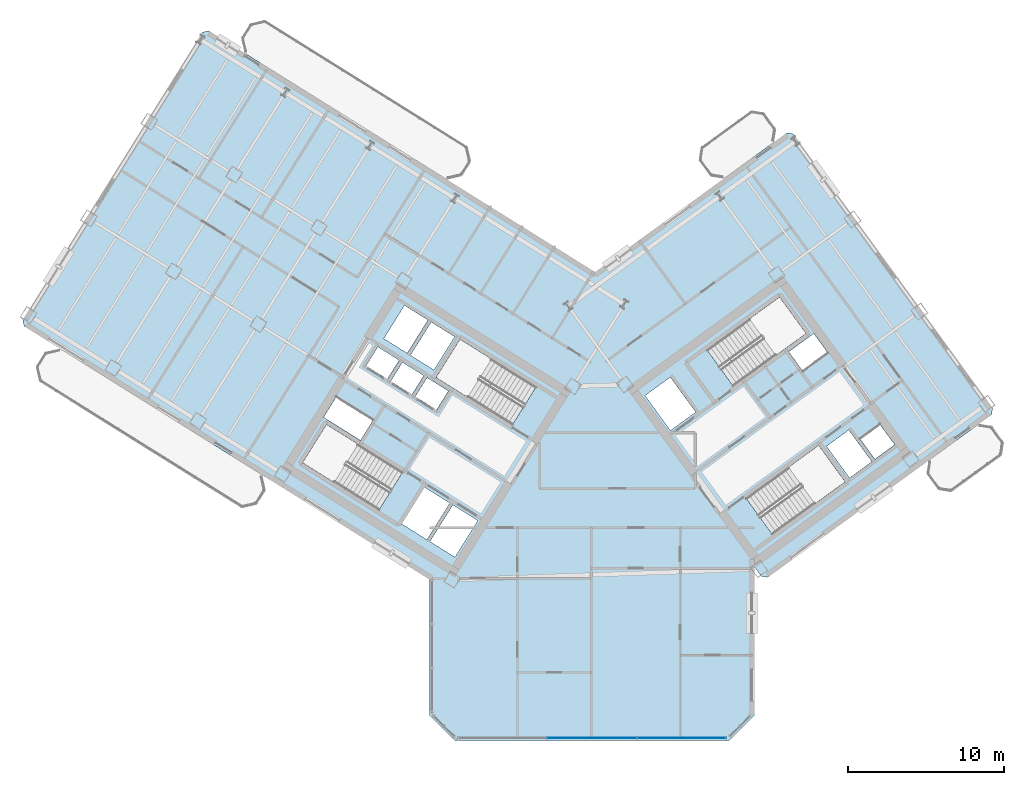
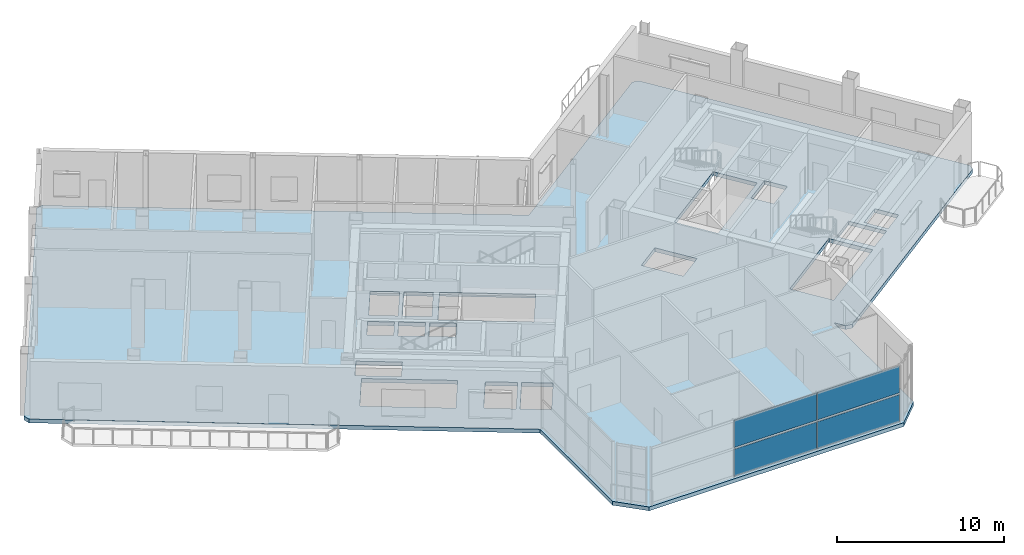
# One storey, part 9 of 20: 4 plates, 1 slab, 1 element without a shape of its own.
"""IFC4 building model written with IfcOpenShell, lengths in metres."""

from ifc_helpers import new_model, si_unit, direction, frame, origin, origin_2d, place, context, subcontext, project, spatial, polyline, rectangle, outline, extrude, source, transform, mapped, material, layer, layer_set, type_object, element, aggregate, save


model = new_model("IFC4")

# Units and contexts
model_context = context("Model", 3, precision=1e-05, world=origin(), true_north=direction((0.0, 1.0)))
body_context = subcontext(model_context, "Body", "Model", "MODEL_VIEW")
ifc_project = project(units=[si_unit("LENGTHUNIT", "METRE"), si_unit("AREAUNIT", "SQUARE_METRE"), si_unit("VOLUMEUNIT", "CUBIC_METRE"), si_unit("PLANEANGLEUNIT", "RADIAN"), si_unit("MASSUNIT", "GRAM", prefix="KILO")], contexts=[model_context])

# Site, building, storey
site_placement = place(None, origin())
site = spatial("IfcSite", under=ifc_project, at=site_placement, CompositionType="ELEMENT")
building_placement = place(site_placement, origin())
building = spatial("IfcBuilding", under=site, at=building_placement, Name="Tlacorven Tower", CompositionType="ELEMENT")
storey_placement = place(building_placement, frame((0.0, 0.0, 195.0)))
storey = spatial("IfcBuildingStorey", under=building, at=storey_placement, Name="L49", CompositionType="ELEMENT", Elevation=195.0)

# Slab
ifc_material_1 = material(Name="Concrete C50/60", Category="concrete")
ifc_layer_1 = layer(ifc_material_1, 0.280029296875)
ifc_layer_set_1 = layer_set([ifc_layer_1], Name="Concrete C50/60")
slab_type = type_object("IfcSlabType", Name="SL-WND-280", PredefinedType="FLOOR", material=ifc_layer_set_1)
slab_placement = place(storey_placement, frame((0.0, 0.0, -0.280029296875)))
element("IfcSlab", 1, at=slab_placement, inside=storey, type_object=slab_type, Name="L49 Boomerang Tower Floor Slab", PredefinedType="FLOOR", context=body_context, shape_type="SweptSolid", body=[
    extrude(outline(polyline([(52.39990234375, 3.39990234375), (50.800048828125, 1.800048828125), (33.199951171875, 1.800048828125), (31.60009765625, 3.39990234375), (31.60009765625, 12.09423828125), (5.62451171875, 28.32568359375), (5.529052734375, 28.739013671875), (17.0390625, 47.15869140625), (17.452392578125, 47.254150390625), (42.19970703125, 31.790283203125), (54.481689453125, 40.713623046875), (54.90087890625, 40.647216796875), (67.66748046875, 23.075439453125), (67.60107421875, 22.656494140625), (53.265380859375, 12.24072265625), (52.846435546875, 12.30712890625), (52.39990234375, 12.921630859375), (52.39990234375, 3.39990234375)]), holes=[polyline([(29.865478515625, 18.979736328125), (24.9892578125, 22.02685546875), (23.463134765625, 19.58447265625), (28.33935546875, 16.537353515625), (29.865478515625, 18.979736328125)]), polyline([(38.4169921875, 24.4375), (33.540771484375, 27.484375), (32.0146484375, 25.0419921875), (36.890869140625, 21.9951171875), (38.4169921875, 24.4375)]), polyline([(51.05908203125, 24.481689453125), (55.7109375, 27.861572265625), (54.01806640625, 30.19140625), (49.3662109375, 26.811767578125), (51.05908203125, 24.481689453125)]), polyline([(53.56298828125, 14.978759765625), (58.21484375, 18.3583984375), (56.52197265625, 20.6884765625), (51.8701171875, 17.30859375), (53.56298828125, 14.978759765625)]), polyline([(34.682373046875, 15.87548828125), (33.088134765625, 16.871826171875), (31.62548828125, 14.531005859375), (33.2197265625, 13.534912109375), (34.682373046875, 15.87548828125)]), polyline([(32.884521484375, 16.9990234375), (31.2392578125, 18.02685546875), (29.77685546875, 15.686279296875), (31.421875, 14.658203125), (32.884521484375, 16.9990234375)]), polyline([(47.0234375, 21.648681640625), (48.6416015625, 22.82421875), (47.019287109375, 25.05712890625), (45.401123046875, 23.881591796875), (47.0234375, 21.648681640625)]), polyline([(33.197265625, 27.65185546875), (31.704833984375, 28.58447265625), (30.3798828125, 26.46435546875), (31.87255859375, 25.53173828125), (33.197265625, 27.65185546875)]), polyline([(31.484375, 28.722412109375), (29.99169921875, 29.655029296875), (28.6669921875, 27.534912109375), (30.159423828125, 26.602294921875), (31.484375, 28.722412109375)]), polyline([(32.794921875, 24.17724609375), (31.43798828125, 25.025146484375), (30.685546875, 23.82080078125), (32.042236328125, 22.972900390625), (32.794921875, 24.17724609375)]), polyline([(31.217529296875, 25.162841796875), (29.860595703125, 26.0107421875), (29.108154296875, 24.806396484375), (30.465087890625, 23.958740234375), (31.217529296875, 25.162841796875)]), polyline([(29.64013671875, 26.1484375), (28.283203125, 26.996337890625), (27.53076171875, 25.792236328125), (28.8876953125, 24.9443359375), (29.64013671875, 26.1484375)]), polyline([(58.498779296875, 18.614013671875), (59.922607421875, 19.648681640625), (58.453125, 21.671142578125), (57.029296875, 20.63671875), (58.498779296875, 18.614013671875)]), polyline([(27.96142578125, 22.2919921875), (25.603759765625, 23.76513671875), (24.80908203125, 22.4931640625), (27.16650390625, 21.02001953125), (27.96142578125, 22.2919921875)]), polyline([(55.490478515625, 25.4765625), (57.092529296875, 26.640380859375), (56.210693359375, 27.85400390625), (54.60888671875, 26.690185546875), (55.490478515625, 25.4765625)]), polyline([(60.12109375, 19.817626953125), (61.38330078125, 20.734619140625), (60.45458984375, 22.012939453125), (59.192626953125, 21.095947265625), (60.12109375, 19.817626953125)])]), origin(), (0.0, 0.0, 1.0), 0.280029296875),
])

# Curtain wall, plates
ifc_material_2 = material(Name="Dark solar low-E double glazing in aluminium frame", Category="aluminium")
curtain_wall_type = type_object("IfcCurtainWallType", Name="CW-COM-AMENITY", PredefinedType="USERDEFINED", material=ifc_material_2)
curtain_wall_placement = place(storey_placement, origin())
curtain_wall = element("IfcCurtainWall", 2, at=curtain_wall_placement, inside=storey, type_object=curtain_wall_type, Name="L49 CW-COM-AMENITY Curtain Wall 225", ObjectType="UNITISED CURTAIN WALL", PredefinedType="USERDEFINED")
ifc_material_3 = material(Name="Dark solar acoustic laminated low-E glazing", Category="glass")
ifc_layer_2 = layer(ifc_material_3, 0.035888671875)
ifc_layer_set_2 = layer_set([ifc_layer_2], Name="Dark solar acoustic laminated low-E glazing")
plate_type = type_object("IfcPlateType", Name="CWP-01", PredefinedType="CURTAIN_PANEL", material=ifc_layer_set_2)
shared_shape_1 = source(origin(), body_context, "Body", "SweptSolid", [
    extrude(rectangle(XDim=5.668701171875, YDim=0.035888671875, at=origin_2d()), origin(), (0.0, 0.0, 1.0), 1.968017578125),
])
plate_1_placement = place(storey_placement, frame((47.73828125, 1.9599609375, 0.07080078125), z_axis=(0.0, 0.0, 1.0), x_axis=(-1.0, 0.0, 0.0)))
plate_1 = element("IfcPlate", 3, at=plate_1_placement, type_object=plate_type, Name="CW-L49-225 Glazing Panel 1", PredefinedType="CURTAIN_PANEL", context=body_context, shape_type="MappedRepresentation", body=[
    mapped(shared_shape_1, transform((0.0, 0.0, 0.0), scale=1.0)),
])
plate_2_placement = place(storey_placement, frame((47.73828125, 1.9599609375, 2.18115234375), z_axis=(0.0, 0.0, 1.0), x_axis=(-1.0, 0.0, 0.0)))
plate_2 = element("IfcPlate", 4, at=plate_2_placement, type_object=plate_type, Name="CW-L49-225 Glazing Panel 2", PredefinedType="CURTAIN_PANEL", context=body_context, shape_type="MappedRepresentation", body=[
    mapped(shared_shape_1, transform((0.0, 0.0, 0.0), scale=1.0)),
])
shared_shape_2 = source(origin(), body_context, "Body", "SweptSolid", [
    extrude(rectangle(XDim=5.703857421875, YDim=0.035888671875, at=origin_2d()), origin(), (0.0, 0.0, 1.0), 1.968017578125),
])
plate_3_placement = place(storey_placement, frame((42.0, 1.9599609375, 0.07080078125), z_axis=(0.0, 0.0, 1.0), x_axis=(-1.0, 0.0, 0.0)))
plate_3 = element("IfcPlate", 5, at=plate_3_placement, type_object=plate_type, Name="CW-L49-225 Glazing Panel 3", PredefinedType="CURTAIN_PANEL", context=body_context, shape_type="MappedRepresentation", body=[
    mapped(shared_shape_2, transform((0.0, 0.0, 0.0), scale=1.0)),
])
plate_4_placement = place(storey_placement, frame((42.0, 1.9599609375, 2.18115234375), z_axis=(0.0, 0.0, 1.0), x_axis=(-1.0, 0.0, 0.0)))
plate_4 = element("IfcPlate", 6, at=plate_4_placement, type_object=plate_type, Name="CW-L49-225 Glazing Panel 4", PredefinedType="CURTAIN_PANEL", context=body_context, shape_type="MappedRepresentation", body=[
    mapped(shared_shape_2, transform((0.0, 0.0, 0.0), scale=1.0)),
])
aggregate(curtain_wall, [plate_1, plate_2, plate_3, plate_4])

save(model, "model.ifc")
